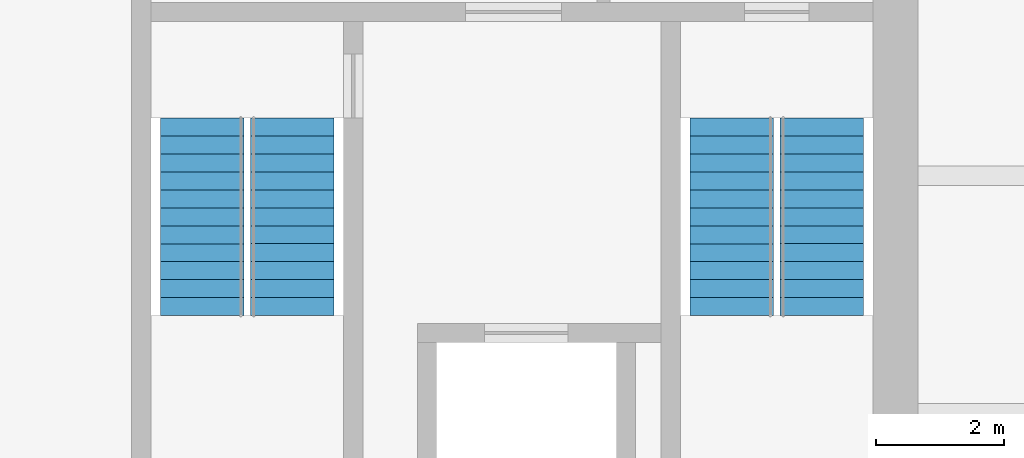
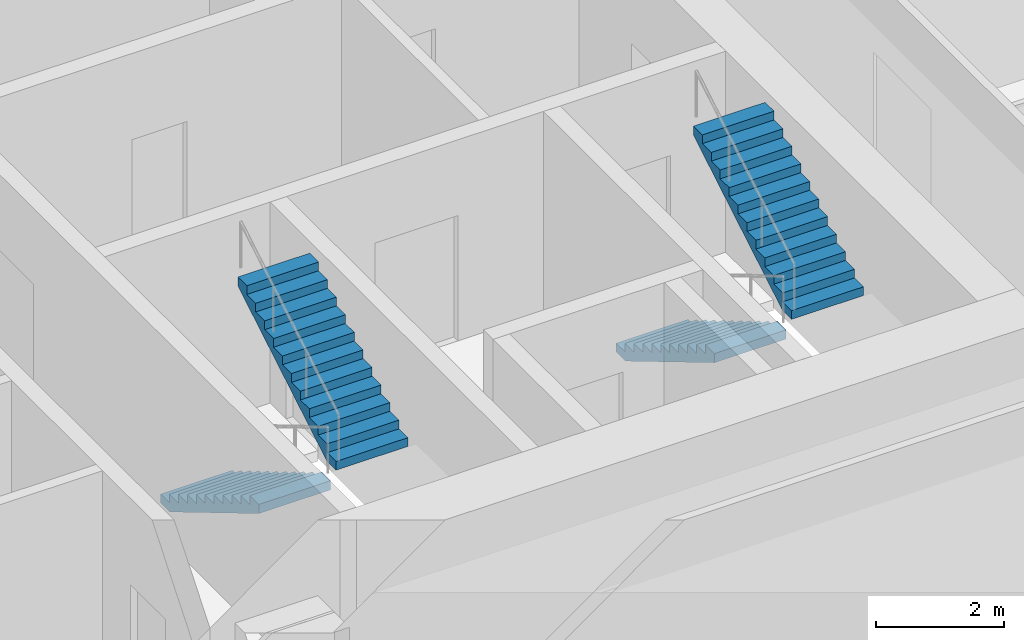
# One storey, part 12 of 13: 4 stair flights, 2 elements without a shape of their own.
"""IFC4 building model written with IfcOpenShell, lengths in metres."""

from ifc_helpers import new_model, si_unit, direction, frame, origin, place, context, subcontext, project, spatial, polyline, outline, extrude, material, type_object, element, aggregate, save


model = new_model("IFC4")

# Units and contexts
model_context = context("Model", 3, precision=1e-05, world=origin(), true_north=direction((0.0, 1.0)))
body_context = subcontext(model_context, "Body", "Model", "MODEL_VIEW")
ifc_project = project(units=[si_unit("LENGTHUNIT", "METRE"), si_unit("AREAUNIT", "SQUARE_METRE"), si_unit("VOLUMEUNIT", "CUBIC_METRE"), si_unit("PLANEANGLEUNIT", "RADIAN"), si_unit("MASSUNIT", "GRAM", prefix="KILO")], contexts=[model_context])

# Site, building, storey
site_placement = place(None, origin())
site = spatial("IfcSite", under=ifc_project, at=site_placement, CompositionType="ELEMENT")
building_placement = place(site_placement, origin())
building = spatial("IfcBuilding", under=site, at=building_placement, Name="Rimbunsela Tower", CompositionType="ELEMENT")
storey_placement = place(building_placement, frame((0.0, 0.0, 214.199951171875)))
storey = spatial("IfcBuildingStorey", under=building, at=storey_placement, Name="L51", CompositionType="ELEMENT", Elevation=214.199951171875)

# Stair, stair flights
ifc_material_1 = material(Name="Concrete fc' 35 MPa", Category="concrete")
stair_type = type_object("IfcStairType", Name="Exit stair 24 risers", PredefinedType="HALF_TURN_STAIR", material=ifc_material_1)
stair_1_placement = place(storey_placement, origin())
stair_1 = element("IfcStair", 1, at=stair_1_placement, inside=storey, type_object=stair_type, Name="Exit stair A L51", PredefinedType="HALF_TURN_STAIR")
ifc_material_2 = material(Name="Concrete fc' 35 MPa", Category="concrete")
stair_flight_type = type_object("IfcStairFlightType", Name="Stair flight 12 risers 167", PredefinedType="STRAIGHT", material=ifc_material_2)
stair_flight_1_placement = place(storey_placement, frame((24.949951171875, 24.89990234375, 0.0), z_axis=(0.0, 0.0, 1.0), x_axis=(0.0, -1.0, 0.0)))
stair_flight_1 = element("IfcStairFlight", 2, at=stair_flight_1_placement, type_object=stair_flight_type, Name="ST-A flight 1", NumberOfRisers=12, NumberOfTreads=11, PredefinedType="STRAIGHT", RiserHeight=0.166666667, TreadLength=0.28, context=body_context, shape_type="SweptSolid", body=[
    extrude(outline(polyline([(0.0, 0.0), (0.0, 0.166748046875), (0.280029296875, 0.166748046875), (0.280029296875, 0.333251953125), (0.56005859375, 0.333251953125), (0.56005859375, 0.5), (0.840087890625, 0.5), (0.840087890625, 0.666748046875), (1.1201171875, 0.666748046875), (1.1201171875, 0.833251953125), (1.39990234375, 0.833251953125), (1.39990234375, 1.0), (1.679931640625, 1.0), (1.679931640625, 1.166748046875), (1.9599609375, 1.166748046875), (1.9599609375, 1.333251953125), (2.239990234375, 1.333251953125), (2.239990234375, 1.5), (2.52001953125, 1.5), (2.52001953125, 1.666748046875), (2.800048828125, 1.666748046875), (2.800048828125, 1.833251953125), (3.080078125, 1.833251953125), (3.080078125, 2.0), (3.080078125, 1.658935546875), (0.29296875, 0.0), (0.0, 0.0)])), frame((0.0, 0.64990234375, 0.0), z_axis=(0.0, -1.0, 0.0), x_axis=(1.0, 0.0, 0.0)), (0.0, 0.0, 1.0), 1.300048828125),
])
stair_flight_2_placement = place(storey_placement, frame((26.35009765625, 21.820068359375, 2.0), z_axis=(0.0, 0.0, 1.0), x_axis=(0.0, 1.0, 0.0)))
stair_flight_2 = element("IfcStairFlight", 3, at=stair_flight_2_placement, type_object=stair_flight_type, Name="ST-A flight 2", NumberOfRisers=12, NumberOfTreads=11, PredefinedType="STRAIGHT", RiserHeight=0.166666667, TreadLength=0.28, context=body_context, shape_type="SweptSolid", body=[
    extrude(outline(polyline([(0.0, 0.0), (0.0, 0.166748046875), (0.280029296875, 0.166748046875), (0.280029296875, 0.333251953125), (0.56005859375, 0.333251953125), (0.56005859375, 0.5), (0.840087890625, 0.5), (0.840087890625, 0.666748046875), (1.1201171875, 0.666748046875), (1.1201171875, 0.833251953125), (1.39990234375, 0.833251953125), (1.39990234375, 1.0), (1.679931640625, 1.0), (1.679931640625, 1.166748046875), (1.9599609375, 1.166748046875), (1.9599609375, 1.333251953125), (2.239990234375, 1.333251953125), (2.239990234375, 1.5), (2.52001953125, 1.5), (2.52001953125, 1.666748046875), (2.800048828125, 1.666748046875), (2.800048828125, 1.833251953125), (3.080078125, 1.833251953125), (3.080078125, 2.0), (3.080078125, 1.658935546875), (0.29296875, 0.0), (0.0, 0.0)])), frame((0.0, 0.64990234375, 0.0), z_axis=(0.0, -1.0, 0.0), x_axis=(1.0, 0.0, 0.0)), (0.0, 0.0, 1.0), 1.300048828125),
])
aggregate(stair_1, [stair_flight_1, stair_flight_2])

stair_2_placement = place(storey_placement, origin())
stair_2 = element("IfcStair", 4, at=stair_2_placement, inside=storey, type_object=stair_type, Name="Exit stair B L51", PredefinedType="HALF_TURN_STAIR")
stair_flight_3_placement = place(storey_placement, frame((33.199951171875, 24.89990234375, 0.0), z_axis=(0.0, 0.0, 1.0), x_axis=(0.0, -1.0, 0.0)))
stair_flight_3 = element("IfcStairFlight", 5, at=stair_flight_3_placement, type_object=stair_flight_type, Name="ST-B flight 1", NumberOfRisers=12, NumberOfTreads=11, PredefinedType="STRAIGHT", RiserHeight=0.166666667, TreadLength=0.28, context=body_context, shape_type="SweptSolid", body=[
    extrude(outline(polyline([(0.0, 0.0), (0.0, 0.166748046875), (0.280029296875, 0.166748046875), (0.280029296875, 0.333251953125), (0.56005859375, 0.333251953125), (0.56005859375, 0.5), (0.840087890625, 0.5), (0.840087890625, 0.666748046875), (1.1201171875, 0.666748046875), (1.1201171875, 0.833251953125), (1.39990234375, 0.833251953125), (1.39990234375, 1.0), (1.679931640625, 1.0), (1.679931640625, 1.166748046875), (1.9599609375, 1.166748046875), (1.9599609375, 1.333251953125), (2.239990234375, 1.333251953125), (2.239990234375, 1.5), (2.52001953125, 1.5), (2.52001953125, 1.666748046875), (2.800048828125, 1.666748046875), (2.800048828125, 1.833251953125), (3.080078125, 1.833251953125), (3.080078125, 2.0), (3.080078125, 1.658935546875), (0.29296875, 0.0), (0.0, 0.0)])), frame((0.0, 0.64990234375, 0.0), z_axis=(0.0, -1.0, 0.0), x_axis=(1.0, 0.0, 0.0)), (0.0, 0.0, 1.0), 1.300048828125),
])
stair_flight_4_placement = place(storey_placement, frame((34.60009765625, 21.820068359375, 2.0), z_axis=(0.0, 0.0, 1.0), x_axis=(0.0, 1.0, 0.0)))
stair_flight_4 = element("IfcStairFlight", 6, at=stair_flight_4_placement, type_object=stair_flight_type, Name="ST-B flight 2", NumberOfRisers=12, NumberOfTreads=11, PredefinedType="STRAIGHT", RiserHeight=0.166666667, TreadLength=0.28, context=body_context, shape_type="SweptSolid", body=[
    extrude(outline(polyline([(0.0, 0.0), (0.0, 0.166748046875), (0.280029296875, 0.166748046875), (0.280029296875, 0.333251953125), (0.56005859375, 0.333251953125), (0.56005859375, 0.5), (0.840087890625, 0.5), (0.840087890625, 0.666748046875), (1.1201171875, 0.666748046875), (1.1201171875, 0.833251953125), (1.39990234375, 0.833251953125), (1.39990234375, 1.0), (1.679931640625, 1.0), (1.679931640625, 1.166748046875), (1.9599609375, 1.166748046875), (1.9599609375, 1.333251953125), (2.239990234375, 1.333251953125), (2.239990234375, 1.5), (2.52001953125, 1.5), (2.52001953125, 1.666748046875), (2.800048828125, 1.666748046875), (2.800048828125, 1.833251953125), (3.080078125, 1.833251953125), (3.080078125, 2.0), (3.080078125, 1.658935546875), (0.29296875, 0.0), (0.0, 0.0)])), frame((0.0, 0.64990234375, 0.0), z_axis=(0.0, -1.0, 0.0), x_axis=(1.0, 0.0, 0.0)), (0.0, 0.0, 1.0), 1.300048828125),
])
aggregate(stair_2, [stair_flight_3, stair_flight_4])

save(model, "model.ifc")
